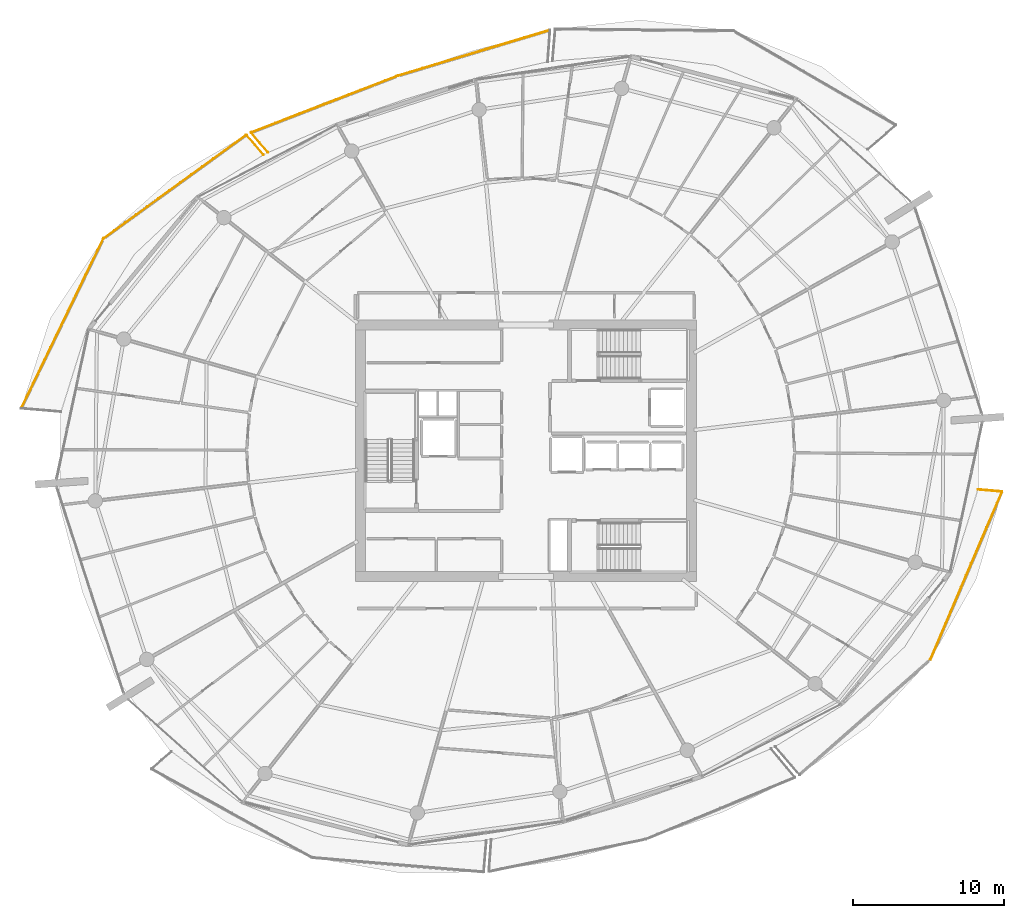
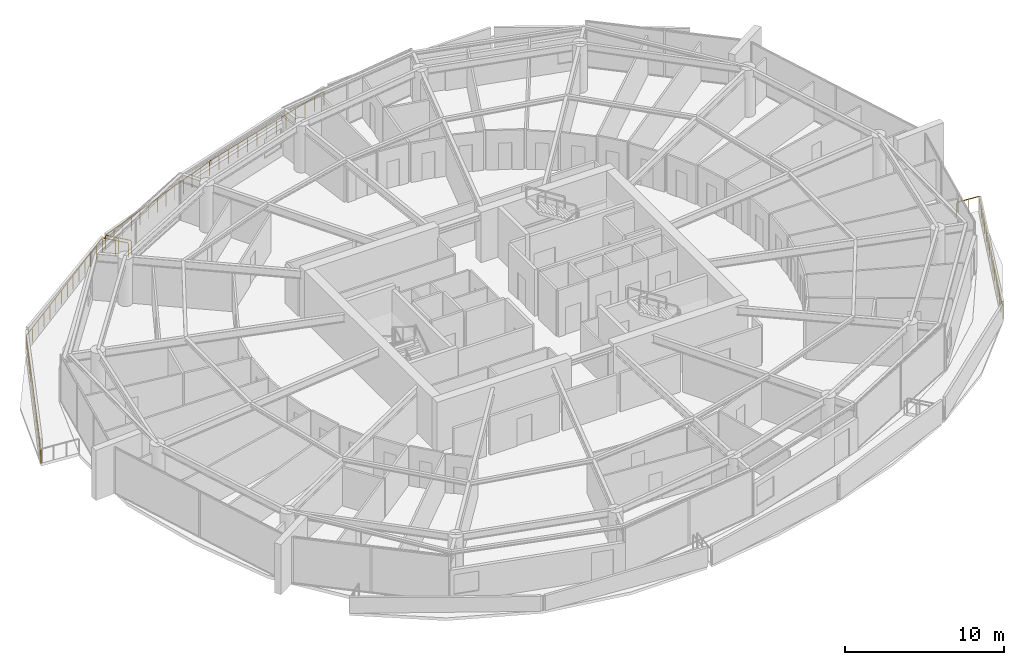
# One storey, part 29 of 31: 8 railings.
"""IFC4 building model written with IfcOpenShell, lengths in metres."""

import ifcopenshell
import ifcopenshell.guid

model = None  # the IFC model being written
_history = None  # IfcOwnerHistory: only IFC2X3 demands one
_inside = {}  # id of a spatial element -> (the spatial element, [elements in it])
_under = {}  # id of a project, library or spatial element -> (it, [spatial elements below it])
_declared = {}  # id of a project -> (the project, [libraries it declares])
_typed = {}  # id of a type object -> (the type object, [elements of that type])
_made_of = {}  # id of a material, layer set ... -> (it, [elements and type objects made of it])


def new_model(schema):
    """Start an empty IFC model of exactly this schema.

    Asked for "IFC4X3", IfcOpenShell would pick the latest addendum, in which some entities
    have other attributes; the version numbers below select the first issue.
    IFC2X3 requires an IfcOwnerHistory on every rooted entity: one is made here for all.
    """
    global model, _history
    if schema == "IFC4X3":
        model = ifcopenshell.file(schema_version=(4, 3, 0, 0))
    else:
        model = ifcopenshell.file(schema=schema)
    _inside.clear()
    _under.clear()
    _declared.clear()
    _typed.clear()
    _made_of.clear()
    _history = None
    if model.schema == "IFC2X3":
        org = make("IfcOrganization", Name="unknown")
        user = make(
            "IfcPersonAndOrganization",
            ThePerson=make("IfcPerson", FamilyName="unknown"),
            TheOrganization=org,
        )
        app = make(
            "IfcApplication",
            ApplicationDeveloper=org,
            Version="unknown",
            ApplicationFullName="unknown",
            ApplicationIdentifier="unknown",
        )
        _history = make(
            "IfcOwnerHistory",
            OwningUser=user,
            OwningApplication=app,
            ChangeAction="ADDED",
            CreationDate=0,
        )
    return model


def make(cls, **values):
    """One entity of the class cls with the attributes given. An attribute that is None is left unset."""
    return model.create_entity(
        cls, **{name: value for name, value in values.items() if value is not None}
    )


def rooted(cls, **values):
    """An entity with a GlobalId (a new one), such as an element, a storey or a relation."""
    return make(cls, GlobalId=ifcopenshell.guid.new(), OwnerHistory=_history, **values)


def si_unit(unit_type, name, prefix=None):
    """IfcSIUnit, for example si_unit("LENGTHUNIT", "METRE", prefix="MILLI")."""
    return make("IfcSIUnit", UnitType=unit_type, Prefix=prefix, Name=name)


def assignment(units):
    """IfcUnitAssignment: the units of a project."""
    return None if units is None else make("IfcUnitAssignment", Units=units)


def point(xyz):
    """IfcCartesianPoint."""
    return None if xyz is None else make("IfcCartesianPoint", Coordinates=xyz)


def direction(xyz):
    """IfcDirection."""
    return None if xyz is None else make("IfcDirection", DirectionRatios=xyz)


def frame(location, z_axis=None, x_axis=None):
    """IfcAxis2Placement3D, a coordinate frame: its origin and axes. An axis left out is left unset."""
    return make(
        "IfcAxis2Placement3D",
        Location=point(location),
        Axis=direction(z_axis),
        RefDirection=direction(x_axis),
    )


def frame_2d(location, x_axis=None):
    """IfcAxis2Placement2D, a coordinate frame in the plane: its origin and x axis."""
    return make(
        "IfcAxis2Placement2D", Location=point(location), RefDirection=direction(x_axis)
    )


def origin():
    """The frame at (0, 0, 0) with its axes left unset."""
    return frame((0.0, 0.0, 0.0))


def origin_2d():
    """The frame at (0, 0) in the plane with its x axis left unset."""
    return frame_2d((0.0, 0.0))


def place(relative_to, where):
    """IfcLocalPlacement: puts the frame where relative to a parent placement (None: the world)."""
    return make(
        "IfcLocalPlacement", PlacementRelTo=relative_to, RelativePlacement=where
    )


def context(
    kind, dimensions, precision=None, world=None, true_north=None, identifier=None
):
    """IfcGeometricRepresentationContext, for example the 3D "Model" context."""
    return make(
        "IfcGeometricRepresentationContext",
        ContextIdentifier=identifier,
        ContextType=kind,
        CoordinateSpaceDimension=dimensions,
        Precision=precision,
        WorldCoordinateSystem=world,
        TrueNorth=true_north,
    )


def subcontext(parent, identifier, kind, view, scale=None):
    """IfcGeometricRepresentationSubContext, for example "Body" below "Model"."""
    return make(
        "IfcGeometricRepresentationSubContext",
        ContextIdentifier=identifier,
        ContextType=kind,
        ParentContext=parent,
        TargetScale=scale,
        TargetView=view,
    )


def project(units=None, contexts=None):
    """IfcProject with its units and contexts."""
    return rooted(
        "IfcProject",
        Name="project",
        RepresentationContexts=contexts,
        UnitsInContext=assignment(units),
    )


def spatial(cls, under=None, at=None, **own):
    """A site, building, storey or space (cls), placed at a placement, below another one or the project."""
    s = rooted(cls, ObjectPlacement=at, **own)
    if under is not None:
        _under.setdefault(under.id(), (under, []))[1].append(s)
    return s


def profile(cls, at=None, kind="AREA", **sizes):
    """A parametric profile (cls). Its sizes go by their IFC names, for example OverallWidth=200.0."""
    return make(cls, ProfileType=kind, Position=at, **sizes)


def rectangle(**sizes):
    """IfcRectangleProfileDef."""
    return profile("IfcRectangleProfileDef", **sizes)


def extrude(swept, where, along, depth):
    """IfcExtrudedAreaSolid: the profile swept, set in the frame where, extruded along a direction by depth."""
    return make(
        "IfcExtrudedAreaSolid",
        SweptArea=swept,
        Position=where,
        ExtrudedDirection=direction(along),
        Depth=depth,
    )


def shape(context_of_items, identifier, shape_type, items):
    """IfcShapeRepresentation: the items that make up one representation, for example the "Body"."""
    return make(
        "IfcShapeRepresentation",
        ContextOfItems=context_of_items,
        RepresentationIdentifier=identifier,
        RepresentationType=shape_type,
        Items=items,
    )


def material(Name=None, Category=None):
    """IfcMaterial."""
    return make("IfcMaterial", Name=Name, Category=Category)


def made_of(thing, what):
    """Note that an element or type object is made of a material, layer set ...; save() writes the relation."""
    if what is not None:
        _made_of.setdefault(what.id(), (what, []))[1].append(thing)
    return thing


def type_object(cls, material=None, **own):
    """A type object (cls), such as IfcWallType, which elements share."""
    return made_of(rooted(cls, **own), material)


def element(
    cls,
    number,
    at=None,
    inside=None,
    cuts=None,
    type_object=None,
    material=None,
    context=None,
    identifier="Body",
    shape_type=None,
    held_by="IfcProductDefinitionShape",
    body=None,
    shapes=None,
    **own,
):
    """One element of the class cls, such as IfcWall. Its Tag is "e" and its number.

    at: its placement. inside: the storey or other place that contains it. cuts: it is an
    opening in that element (IfcRelVoidsElement). A single representation is given by context,
    identifier, shape_type and body (its items); several are given by shapes. held_by: the class
    of the entity that holds the representations. save() writes the other relations.
    """
    e = rooted(cls, Tag="e%d" % number, ObjectPlacement=at, **own)
    if body is not None:
        shapes = [shape(context, identifier, shape_type, body)]
    if shapes is not None:
        e.Representation = make(held_by, Representations=shapes)
    if inside is not None:
        _inside.setdefault(inside.id(), (inside, []))[1].append(e)
    if cuts is not None:
        rooted(
            "IfcRelVoidsElement", RelatingBuildingElement=cuts, RelatedOpeningElement=e
        )
    if type_object is not None:
        _typed.setdefault(type_object.id(), (type_object, []))[1].append(e)
    return made_of(e, material)


def aggregate(whole, parts):
    """IfcRelAggregates: a whole, such as a stair, and the parts it consists of."""
    return rooted("IfcRelAggregates", RelatingObject=whole, RelatedObjects=parts)


def save(model, path):
    """Write the relations noted so far, then the file.

    IfcRelAggregates (storeys below a building ...), IfcRelContainedInSpatialStructure (elements
    in a storey), IfcRelDefinesByType, IfcRelAssociatesMaterial and IfcRelDeclares: one each for
    every whole, place, type object, material and project.
    """
    for whole, parts in _under.values():
        aggregate(whole, parts)
    for where, things in _inside.values():
        rooted(
            "IfcRelContainedInSpatialStructure",
            RelatedElements=things,
            RelatingStructure=where,
        )
    for kind, things in _typed.values():
        rooted("IfcRelDefinesByType", RelatedObjects=things, RelatingType=kind)
    for what, things in _made_of.values():
        rooted("IfcRelAssociatesMaterial", RelatedObjects=things, RelatingMaterial=what)
    for by, libraries in _declared.values():
        rooted("IfcRelDeclares", RelatingContext=by, RelatedDefinitions=libraries)
    model.write(path)


model = new_model("IFC4")

# Units and contexts
model_context = context("Model", 3, precision=1e-05, world=origin(), true_north=direction((0.0, 1.0)))
body_context = subcontext(model_context, "Body", "Model", "MODEL_VIEW")
ifc_project = project(units=[si_unit("LENGTHUNIT", "METRE"), si_unit("AREAUNIT", "SQUARE_METRE"), si_unit("VOLUMEUNIT", "CUBIC_METRE"), si_unit("PLANEANGLEUNIT", "RADIAN"), si_unit("MASSUNIT", "GRAM", prefix="KILO")], contexts=[model_context])

# Site, building, storey
site_placement = place(None, origin())
site = spatial("IfcSite", under=ifc_project, at=site_placement, CompositionType="ELEMENT")
building_placement = place(site_placement, origin())
building = spatial("IfcBuilding", under=site, at=building_placement, Name="Kazma Halo Residences", CompositionType="ELEMENT")
storey_placement = place(building_placement, frame((0.0, 0.0, 259.800048828125)))
storey = spatial("IfcBuildingStorey", under=building, at=storey_placement, Name="L65", CompositionType="ELEMENT", Elevation=259.800048828125)

# Railings
ifc_material = material(Name="Aluminium AW-6063 T6 Brushed Cap Rail", Category="aluminium")
railing_type = type_object("IfcRailingType", Name="RLG-BAL-CAP-1120", PredefinedType="BALUSTRADE", material=ifc_material)
railing_1_placement = place(storey_placement, frame((50.019775390625, 69.83642578125, 0.0)))
element("IfcRailing", 1, at=railing_1_placement, inside=storey, type_object=railing_type, Name="L65 NNW wave balcony guard 2", PredefinedType="BALUSTRADE", context=body_context, shape_type="SweptSolid", body=[
    extrude(rectangle(XDim=0.050048828125, YDim=0.050048828125, at=origin_2d()), frame((-0.040771484375, -0.01220703125, 1.09521484375), z_axis=(-0.957652462727, -0.287926658427, 0.0), x_axis=(0.287926658427, -0.957652462727, 0.0)), (0.0, 0.0, 1.0), 10.440185546875),
    extrude(rectangle(XDim=0.0400390625, YDim=0.0400390625, at=origin_2d()), origin(), (0.0, 0.0, 1.0), 1.05810546875),
    extrude(rectangle(XDim=0.0400390625, YDim=0.0400390625, at=origin_2d()), frame((-0.83984375, -0.25244140625, 0.0)), (0.0, 0.0, 1.0), 1.05810546875),
    extrude(rectangle(XDim=0.0400390625, YDim=0.0400390625, at=origin_2d()), frame((-1.679931640625, -0.505126953125, 0.0)), (0.0, 0.0, 1.0), 1.05810546875),
    extrude(rectangle(XDim=0.0400390625, YDim=0.0400390625, at=origin_2d()), frame((-2.52001953125, -0.757568359375, 0.0)), (0.0, 0.0, 1.0), 1.05810546875),
    extrude(rectangle(XDim=0.0400390625, YDim=0.0400390625, at=origin_2d()), frame((-3.35986328125, -1.01025390625, 0.0)), (0.0, 0.0, 1.0), 1.05810546875),
    extrude(rectangle(XDim=0.0400390625, YDim=0.0400390625, at=origin_2d()), frame((-4.19970703125, -1.2626953125, 0.0)), (0.0, 0.0, 1.0), 1.05810546875),
    extrude(rectangle(XDim=0.0400390625, YDim=0.0400390625, at=origin_2d()), frame((-5.039794921875, -1.51513671875, 0.0)), (0.0, 0.0, 1.0), 1.05810546875),
    extrude(rectangle(XDim=0.0400390625, YDim=0.0400390625, at=origin_2d()), frame((-5.8798828125, -1.767822265625, 0.0)), (0.0, 0.0, 1.0), 1.05810546875),
    extrude(rectangle(XDim=0.0400390625, YDim=0.0400390625, at=origin_2d()), frame((-6.7197265625, -2.020263671875, 0.0)), (0.0, 0.0, 1.0), 1.05810546875),
    extrude(rectangle(XDim=0.0400390625, YDim=0.0400390625, at=origin_2d()), frame((-7.5595703125, -2.27294921875, 0.0)), (0.0, 0.0, 1.0), 1.05810546875),
    extrude(rectangle(XDim=0.0400390625, YDim=0.0400390625, at=origin_2d()), frame((-8.399658203125, -2.525390625, 0.0)), (0.0, 0.0, 1.0), 1.05810546875),
    extrude(rectangle(XDim=0.0400390625, YDim=0.0400390625, at=origin_2d()), frame((-9.23974609375, -2.778076171875, 0.0)), (0.0, 0.0, 1.0), 1.05810546875),
    extrude(rectangle(XDim=0.0400390625, YDim=0.0400390625, at=origin_2d()), frame((-10.07958984375, -3.030517578125, 0.0)), (0.0, 0.0, 1.0), 1.05810546875),
])
railing_2_placement = place(storey_placement, frame((39.940185546875, 66.805908203125, 0.0)))
element("IfcRailing", 2, at=railing_2_placement, inside=storey, type_object=railing_type, Name="L65 NNW wave balcony guard 3", PredefinedType="BALUSTRADE", context=body_context, shape_type="SweptSolid", body=[
    extrude(rectangle(XDim=0.050048828125, YDim=0.050048828125, at=origin_2d()), frame((-0.039794921875, -0.015380859375, 1.09521484375), z_axis=(-0.932680975697, -0.36070236702, 0.0), x_axis=(0.36070236702, -0.932680975697, 0.0)), (0.0, 0.0, 1.0), 10.31591796875),
    extrude(rectangle(XDim=0.0400390625, YDim=0.0400390625, at=origin_2d()), origin(), (0.0, 0.0, 1.0), 1.05810546875),
    extrude(rectangle(XDim=0.0400390625, YDim=0.0400390625, at=origin_2d()), frame((-0.808349609375, -0.312744140625, 0.0)), (0.0, 0.0, 1.0), 1.05810546875),
    extrude(rectangle(XDim=0.0400390625, YDim=0.0400390625, at=origin_2d()), frame((-1.61669921875, -0.625244140625, 0.0)), (0.0, 0.0, 1.0), 1.05810546875),
    extrude(rectangle(XDim=0.0400390625, YDim=0.0400390625, at=origin_2d()), frame((-2.42529296875, -0.93798828125, 0.0)), (0.0, 0.0, 1.0), 1.05810546875),
    extrude(rectangle(XDim=0.0400390625, YDim=0.0400390625, at=origin_2d()), frame((-3.233642578125, -1.25048828125, 0.0)), (0.0, 0.0, 1.0), 1.05810546875),
    extrude(rectangle(XDim=0.0400390625, YDim=0.0400390625, at=origin_2d()), frame((-4.0419921875, -1.563232421875, 0.0)), (0.0, 0.0, 1.0), 1.05810546875),
    extrude(rectangle(XDim=0.0400390625, YDim=0.0400390625, at=origin_2d()), frame((-4.8505859375, -1.8759765625, 0.0)), (0.0, 0.0, 1.0), 1.05810546875),
    extrude(rectangle(XDim=0.0400390625, YDim=0.0400390625, at=origin_2d()), frame((-5.658935546875, -2.1884765625, 0.0)), (0.0, 0.0, 1.0), 1.05810546875),
    extrude(rectangle(XDim=0.0400390625, YDim=0.0400390625, at=origin_2d()), frame((-6.46728515625, -2.501220703125, 0.0)), (0.0, 0.0, 1.0), 1.05810546875),
    extrude(rectangle(XDim=0.0400390625, YDim=0.0400390625, at=origin_2d()), frame((-7.275634765625, -2.813720703125, 0.0)), (0.0, 0.0, 1.0), 1.05810546875),
    extrude(rectangle(XDim=0.0400390625, YDim=0.0400390625, at=origin_2d()), frame((-8.083984375, -3.12646484375, 0.0)), (0.0, 0.0, 1.0), 1.05810546875),
    extrude(rectangle(XDim=0.0400390625, YDim=0.0400390625, at=origin_2d()), frame((-8.892578125, -3.43896484375, 0.0)), (0.0, 0.0, 1.0), 1.05810546875),
    extrude(rectangle(XDim=0.0400390625, YDim=0.0400390625, at=origin_2d()), frame((-9.700927734375, -3.751708984375, 0.0)), (0.0, 0.0, 1.0), 1.05810546875),
])
railing_3_placement = place(storey_placement, frame((30.2392578125, 63.05419921875, 0.0)))
element("IfcRailing", 3, at=railing_3_placement, inside=storey, type_object=railing_type, Name="L65 NNW wave balcony guard 4", PredefinedType="BALUSTRADE", context=body_context, shape_type="SweptSolid", body=[
    extrude(rectangle(XDim=0.050048828125, YDim=0.050048828125, at=origin_2d()), frame((0.02734375, -0.032470703125, 1.09521484375), z_axis=(0.644847767018, -0.764311034443, 0.0), x_axis=(0.764311034443, 0.644847767018, 0.0)), (0.0, 0.0, 1.0), 1.64599609375),
    extrude(rectangle(XDim=0.0400390625, YDim=0.0400390625, at=origin_2d()), origin(), (0.0, 0.0, 1.0), 1.05810546875),
    extrude(rectangle(XDim=0.0400390625, YDim=0.0400390625, at=origin_2d()), frame((0.55810546875, -0.66162109375, 0.0)), (0.0, 0.0, 1.0), 1.05810546875),
    extrude(rectangle(XDim=0.0400390625, YDim=0.0400390625, at=origin_2d()), frame((1.1162109375, -1.322998046875, 0.0)), (0.0, 0.0, 1.0), 1.05810546875),
])
railing_4_placement = place(storey_placement, frame((31.06787109375, 61.58154296875, 0.0)))
element("IfcRailing", 4, at=railing_4_placement, inside=storey, type_object=railing_type, Name="L65 NW wave balcony guard 1", PredefinedType="BALUSTRADE", context=body_context, shape_type="SweptSolid", body=[
    extrude(rectangle(XDim=0.050048828125, YDim=0.050048828125, at=origin_2d()), frame((-0.02783203125, 0.0322265625, 1.09521484375), z_axis=(-0.654106617809, 0.756402361537, 0.0), x_axis=(-0.756402361537, -0.654106617809, 0.0)), (0.0, 0.0, 1.0), 1.664306640625),
    extrude(rectangle(XDim=0.0400390625, YDim=0.0400390625, at=origin_2d()), origin(), (0.0, 0.0, 1.0), 1.05810546875),
    extrude(rectangle(XDim=0.0400390625, YDim=0.0400390625, at=origin_2d()), frame((-0.572265625, 0.66162109375, 0.0)), (0.0, 0.0, 1.0), 1.05810546875),
    extrude(rectangle(XDim=0.0400390625, YDim=0.0400390625, at=origin_2d()), frame((-1.144287109375, 1.3232421875, 0.0)), (0.0, 0.0, 1.0), 1.05810546875),
])
railing_5_placement = place(storey_placement, frame((29.923583984375, 62.90478515625, 0.0)))
element("IfcRailing", 5, at=railing_5_placement, inside=storey, type_object=railing_type, Name="L65 NW wave balcony guard 2", PredefinedType="BALUSTRADE", context=body_context, shape_type="SweptSolid", body=[
    extrude(rectangle(XDim=0.050048828125, YDim=0.050048828125, at=origin_2d()), frame((-0.034423828125, -0.02490234375, 1.09521484375), z_axis=(-0.809252961713, -0.587460333946, 0.0), x_axis=(0.587460333946, -0.809252961713, 0.0)), (0.0, 0.0, 1.0), 11.611572265625),
    extrude(rectangle(XDim=0.0400390625, YDim=0.0400390625, at=origin_2d()), origin(), (0.0, 0.0, 1.0), 1.05810546875),
    extrude(rectangle(XDim=0.0400390625, YDim=0.0400390625, at=origin_2d()), frame((-0.72802734375, -0.528564453125, 0.0)), (0.0, 0.0, 1.0), 1.05810546875),
    extrude(rectangle(XDim=0.0400390625, YDim=0.0400390625, at=origin_2d()), frame((-1.456298828125, -1.05712890625, 0.0)), (0.0, 0.0, 1.0), 1.05810546875),
    extrude(rectangle(XDim=0.0400390625, YDim=0.0400390625, at=origin_2d()), frame((-2.184326171875, -1.585693359375, 0.0)), (0.0, 0.0, 1.0), 1.05810546875),
    extrude(rectangle(XDim=0.0400390625, YDim=0.0400390625, at=origin_2d()), frame((-2.91259765625, -2.1142578125, 0.0)), (0.0, 0.0, 1.0), 1.05810546875),
    extrude(rectangle(XDim=0.0400390625, YDim=0.0400390625, at=origin_2d()), frame((-3.640625, -2.642822265625, 0.0)), (0.0, 0.0, 1.0), 1.05810546875),
    extrude(rectangle(XDim=0.0400390625, YDim=0.0400390625, at=origin_2d()), frame((-4.36865234375, -3.17138671875, 0.0)), (0.0, 0.0, 1.0), 1.05810546875),
    extrude(rectangle(XDim=0.0400390625, YDim=0.0400390625, at=origin_2d()), frame((-5.096923828125, -3.699951171875, 0.0)), (0.0, 0.0, 1.0), 1.05810546875),
    extrude(rectangle(XDim=0.0400390625, YDim=0.0400390625, at=origin_2d()), frame((-5.824951171875, -4.228515625, 0.0)), (0.0, 0.0, 1.0), 1.05810546875),
    extrude(rectangle(XDim=0.0400390625, YDim=0.0400390625, at=origin_2d()), frame((-6.552978515625, -4.757080078125, 0.0)), (0.0, 0.0, 1.0), 1.05810546875),
    extrude(rectangle(XDim=0.0400390625, YDim=0.0400390625, at=origin_2d()), frame((-7.28125, -5.28564453125, 0.0)), (0.0, 0.0, 1.0), 1.05810546875),
    extrude(rectangle(XDim=0.0400390625, YDim=0.0400390625, at=origin_2d()), frame((-8.00927734375, -5.814208984375, 0.0)), (0.0, 0.0, 1.0), 1.05810546875),
    extrude(rectangle(XDim=0.0400390625, YDim=0.0400390625, at=origin_2d()), frame((-8.737548828125, -6.3427734375, 0.0)), (0.0, 0.0, 1.0), 1.05810546875),
    extrude(rectangle(XDim=0.0400390625, YDim=0.0400390625, at=origin_2d()), frame((-9.465576171875, -6.871337890625, 0.0)), (0.0, 0.0, 1.0), 1.05810546875),
])
railing_6_placement = place(storey_placement, frame((20.4580078125, 56.033447265625, 0.0)))
element("IfcRailing", 6, at=railing_6_placement, inside=storey, type_object=railing_type, Name="L65 NW wave balcony guard 3", PredefinedType="BALUSTRADE", context=body_context, shape_type="SweptSolid", body=[
    extrude(rectangle(XDim=0.050048828125, YDim=0.050048828125, at=origin_2d()), frame((-0.0185546875, -0.038330078125, 1.09521484375), z_axis=(-0.435770522206, -0.900057804797, 0.0), x_axis=(0.900057804797, -0.435770522206, 0.0)), (0.0, 0.0, 1.0), 12.397216796875),
    extrude(rectangle(XDim=0.0400390625, YDim=0.0400390625, at=origin_2d()), origin(), (0.0, 0.0, 1.0), 1.05810546875),
    extrude(rectangle(XDim=0.0400390625, YDim=0.0400390625, at=origin_2d()), frame((-0.388427734375, -0.802490234375, 0.0)), (0.0, 0.0, 1.0), 1.05810546875),
    extrude(rectangle(XDim=0.0400390625, YDim=0.0400390625, at=origin_2d()), frame((-0.777099609375, -1.60498046875, 0.0)), (0.0, 0.0, 1.0), 1.05810546875),
    extrude(rectangle(XDim=0.0400390625, YDim=0.0400390625, at=origin_2d()), frame((-1.16552734375, -2.407470703125, 0.0)), (0.0, 0.0, 1.0), 1.05810546875),
    extrude(rectangle(XDim=0.0400390625, YDim=0.0400390625, at=origin_2d()), frame((-1.55419921875, -3.2099609375, 0.0)), (0.0, 0.0, 1.0), 1.05810546875),
    extrude(rectangle(XDim=0.0400390625, YDim=0.0400390625, at=origin_2d()), frame((-1.942626953125, -4.012451171875, 0.0)), (0.0, 0.0, 1.0), 1.05810546875),
    extrude(rectangle(XDim=0.0400390625, YDim=0.0400390625, at=origin_2d()), frame((-2.331298828125, -4.81494140625, 0.0)), (0.0, 0.0, 1.0), 1.05810546875),
    extrude(rectangle(XDim=0.0400390625, YDim=0.0400390625, at=origin_2d()), frame((-2.7197265625, -5.617431640625, 0.0)), (0.0, 0.0, 1.0), 1.05810546875),
    extrude(rectangle(XDim=0.0400390625, YDim=0.0400390625, at=origin_2d()), frame((-3.108154296875, -6.419921875, 0.0)), (0.0, 0.0, 1.0), 1.05810546875),
    extrude(rectangle(XDim=0.0400390625, YDim=0.0400390625, at=origin_2d()), frame((-3.496826171875, -7.222412109375, 0.0)), (0.0, 0.0, 1.0), 1.05810546875),
    extrude(rectangle(XDim=0.0400390625, YDim=0.0400390625, at=origin_2d()), frame((-3.88525390625, -8.02490234375, 0.0)), (0.0, 0.0, 1.0), 1.05810546875),
    extrude(rectangle(XDim=0.0400390625, YDim=0.0400390625, at=origin_2d()), frame((-4.27392578125, -8.827392578125, 0.0)), (0.0, 0.0, 1.0), 1.05810546875),
    extrude(rectangle(XDim=0.0400390625, YDim=0.0400390625, at=origin_2d()), frame((-4.662353515625, -9.6298828125, 0.0)), (0.0, 0.0, 1.0), 1.05810546875),
    extrude(rectangle(XDim=0.0400390625, YDim=0.0400390625, at=origin_2d()), frame((-5.051025390625, -10.432373046875, 0.0)), (0.0, 0.0, 1.0), 1.05810546875),
    extrude(rectangle(XDim=0.0400390625, YDim=0.0400390625, at=origin_2d()), frame((-5.439453125, -11.23486328125, 0.0)), (0.0, 0.0, 1.0), 1.05810546875),
])
railing_7_placement = place(storey_placement, frame((75.1875, 28.147216796875, 0.0)))
element("IfcRailing", 7, at=railing_7_placement, inside=storey, type_object=railing_type, Name="L65 SE wave balcony guard 3", PredefinedType="BALUSTRADE", context=body_context, shape_type="SweptSolid", body=[
    extrude(rectangle(XDim=0.050048828125, YDim=0.050048828125, at=origin_2d()), frame((0.0166015625, 0.0390625, 1.09521484375), z_axis=(0.392707796249, 0.91966330076, 0.0), x_axis=(-0.91966330076, 0.392707796249, 0.0)), (0.0, 0.0, 1.0), 12.0302734375),
    extrude(rectangle(XDim=0.0400390625, YDim=0.0400390625, at=origin_2d()), origin(), (0.0, 0.0, 1.0), 1.05810546875),
    extrude(rectangle(XDim=0.0400390625, YDim=0.0400390625, at=origin_2d()), frame((0.33984375, 0.7958984375, 0.0)), (0.0, 0.0, 1.0), 1.05810546875),
    extrude(rectangle(XDim=0.0400390625, YDim=0.0400390625, at=origin_2d()), frame((0.6796875, 1.591796875, 0.0)), (0.0, 0.0, 1.0), 1.05810546875),
    extrude(rectangle(XDim=0.0400390625, YDim=0.0400390625, at=origin_2d()), frame((1.01953125, 2.3876953125, 0.0)), (0.0, 0.0, 1.0), 1.05810546875),
    extrude(rectangle(XDim=0.0400390625, YDim=0.0400390625, at=origin_2d()), frame((1.359375, 3.183349609375, 0.0)), (0.0, 0.0, 1.0), 1.05810546875),
    extrude(rectangle(XDim=0.0400390625, YDim=0.0400390625, at=origin_2d()), frame((1.69921875, 3.979248046875, 0.0)), (0.0, 0.0, 1.0), 1.05810546875),
    extrude(rectangle(XDim=0.0400390625, YDim=0.0400390625, at=origin_2d()), frame((2.0390625, 4.775146484375, 0.0)), (0.0, 0.0, 1.0), 1.05810546875),
    extrude(rectangle(XDim=0.0400390625, YDim=0.0400390625, at=origin_2d()), frame((2.37890625, 5.571044921875, 0.0)), (0.0, 0.0, 1.0), 1.05810546875),
    extrude(rectangle(XDim=0.0400390625, YDim=0.0400390625, at=origin_2d()), frame((2.71875, 6.366943359375, 0.0)), (0.0, 0.0, 1.0), 1.05810546875),
    extrude(rectangle(XDim=0.0400390625, YDim=0.0400390625, at=origin_2d()), frame((3.05859375, 7.162841796875, 0.0)), (0.0, 0.0, 1.0), 1.05810546875),
    extrude(rectangle(XDim=0.0400390625, YDim=0.0400390625, at=origin_2d()), frame((3.3984375, 7.958740234375, 0.0)), (0.0, 0.0, 1.0), 1.05810546875),
    extrude(rectangle(XDim=0.0400390625, YDim=0.0400390625, at=origin_2d()), frame((3.73828125, 8.75439453125, 0.0)), (0.0, 0.0, 1.0), 1.05810546875),
    extrude(rectangle(XDim=0.0400390625, YDim=0.0400390625, at=origin_2d()), frame((4.078125, 9.55029296875, 0.0)), (0.0, 0.0, 1.0), 1.05810546875),
    extrude(rectangle(XDim=0.0400390625, YDim=0.0400390625, at=origin_2d()), frame((4.41796875, 10.34619140625, 0.0)), (0.0, 0.0, 1.0), 1.05810546875),
    extrude(rectangle(XDim=0.0400390625, YDim=0.0400390625, at=origin_2d()), frame((4.7578125, 11.14208984375, 0.0)), (0.0, 0.0, 1.0), 1.05810546875),
])
railing_8_placement = place(storey_placement, frame((79.9453125, 39.289306640625, 0.0)))
element("IfcRailing", 8, at=railing_8_placement, inside=storey, type_object=railing_type, Name="L65 SE wave balcony guard 4", PredefinedType="BALUSTRADE", context=body_context, shape_type="SweptSolid", body=[
    extrude(rectangle(XDim=0.050048828125, YDim=0.050048828125, at=origin_2d()), frame((-0.04248046875, 0.003662109375, 1.09521484375), z_axis=(-0.996411975362, 0.08463554428, 0.0), x_axis=(-0.08463554428, -0.996411975362, 0.0)), (0.0, 0.0, 1.0), 1.515869140625),
    extrude(rectangle(XDim=0.0400390625, YDim=0.0400390625, at=origin_2d()), origin(), (0.0, 0.0, 1.0), 1.05810546875),
    extrude(rectangle(XDim=0.0400390625, YDim=0.0400390625, at=origin_2d()), frame((-0.797607421875, 0.06787109375, 0.0)), (0.0, 0.0, 1.0), 1.05810546875),
    extrude(rectangle(XDim=0.0400390625, YDim=0.0400390625, at=origin_2d()), frame((-1.59521484375, 0.135498046875, 0.0)), (0.0, 0.0, 1.0), 1.05810546875),
])

save(model, "model.ifc")
